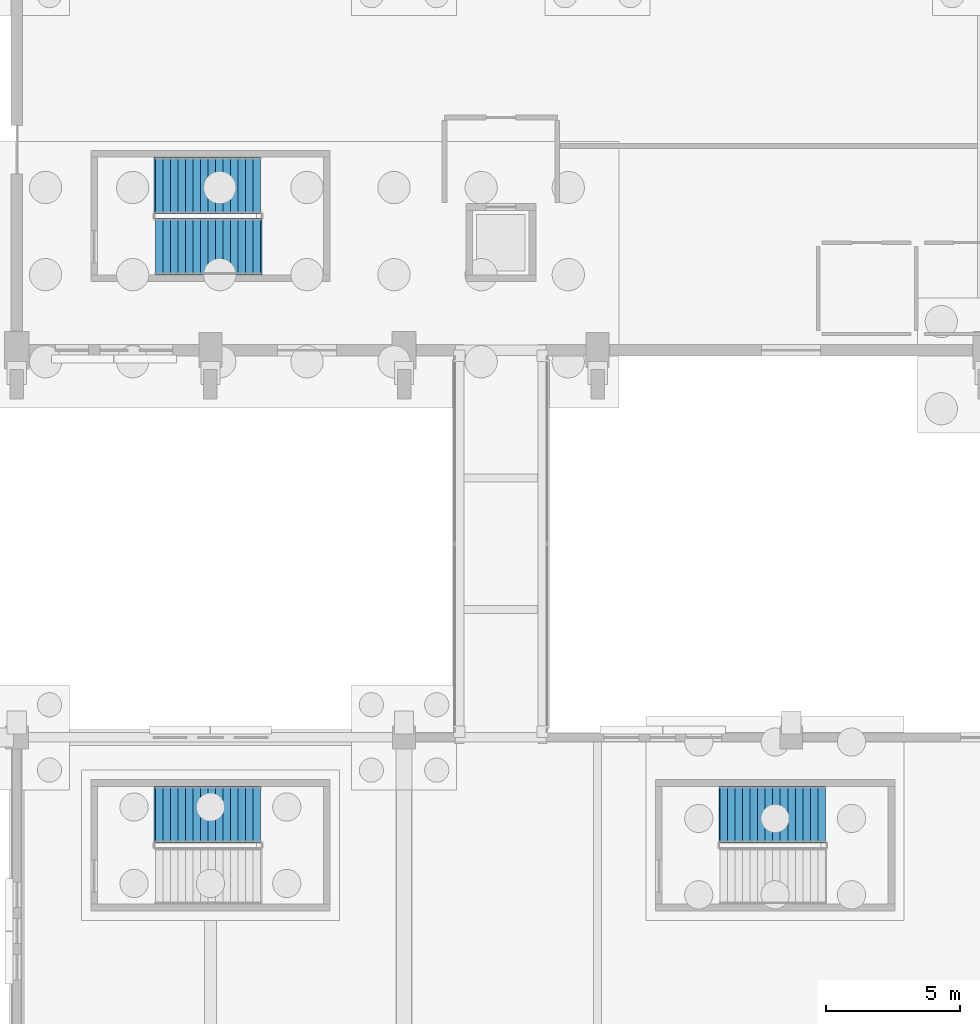
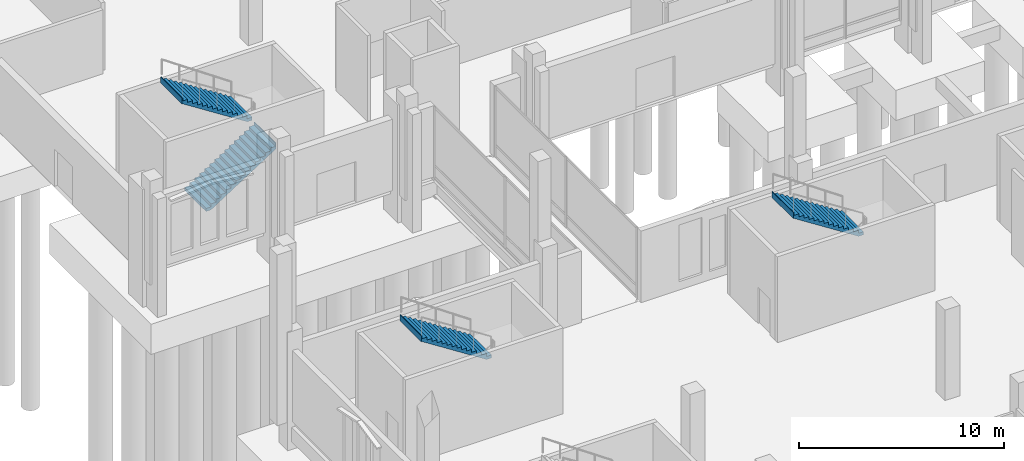
# One storey, part 159 of 192: 4 stair flights, 3 elements without a shape of their own.
"""IFC4 building model written with IfcOpenShell, lengths in metres."""

from ifc_helpers import new_model, si_unit, direction, frame, origin, place, context, subcontext, project, spatial, triangles, material, type_object, element, aggregate, save


model = new_model("IFC4")

# Units and contexts
model_context = context("Model", 3, precision=1e-05, world=origin(), true_north=direction((0.0, 1.0)))
body_context = subcontext(model_context, "Body", "Model", "MODEL_VIEW")
ifc_project = project(units=[si_unit("LENGTHUNIT", "METRE"), si_unit("AREAUNIT", "SQUARE_METRE"), si_unit("VOLUMEUNIT", "CUBIC_METRE"), si_unit("PLANEANGLEUNIT", "RADIAN"), si_unit("MASSUNIT", "GRAM", prefix="KILO")], contexts=[model_context])

# Site, building, storey
site_placement = place(None, origin())
site = spatial("IfcSite", under=ifc_project, at=site_placement, CompositionType="ELEMENT")
building_placement = place(site_placement, origin())
building = spatial("IfcBuilding", under=site, at=building_placement, Name="Cendralis Lancet Convention Centre", CompositionType="ELEMENT")
storey_placement = place(building_placement, origin())
storey = spatial("IfcBuildingStorey", under=building, at=storey_placement, Name="L00", CompositionType="ELEMENT", Elevation=0.0)

# Stair, stair flights
ifc_material = material(Name="Concrete G35 (C35/45)", Category="concrete")
stair_type = type_object("IfcStairType", Name="ARC-ST-CORE", PredefinedType="HALF_TURN_STAIR", material=ifc_material)
stair_1_placement = place(storey_placement, origin())
stair_1 = element("IfcStair", 1, at=stair_1_placement, inside=storey, type_object=stair_type, Name="L00 Protected Exit Stair ST-01", PredefinedType="HALF_TURN_STAIR")
stair_flight_type = type_object("IfcStairFlightType", Name="ARC-SF-CORE", PredefinedType="STRAIGHT", material=ifc_material)
stair_flight_1_placement = place(storey_placement, frame((5.14990234375, 54.25, 0.0), z_axis=(0.0, 0.0, 1.0), x_axis=(1.0, 0.0, 0.0)))
stair_flight_1 = element("IfcStairFlight", 2, at=stair_flight_1_placement, type_object=stair_flight_type, Name="ST-01 flight 1", NumberOfRisers=15, NumberOfTreads=14, PredefinedType="STRAIGHT", RiserHeight=0.18, TreadLength=0.28, context=body_context, shape_type="Tessellation", body=[
    triangles([(0.0, 0.0, 0.09), (0.0, 1.050049, 0.0), (0.0, -1.050049, 0.0), (0.0, -1.050049, 0.18), (0.0, 1.050049, 0.18), (0.138604, 0.0, 0.18), (0.277208, -1.050049, 0.18), (0.277208, 1.050049, 0.18), (0.138604, 0.0, 0.0), (0.277208, -1.050049, 0.0), (0.277208, 1.050049, 0.0), (0.278604, 0.0, 0.18), (0.28, -1.050049, 0.18), (0.28, 1.050049, 0.18), (0.278604, 0.0, 0.000897), (0.28, -1.050049, 0.001795), (0.28, 1.050049, 0.001795), (0.28, 0.0, 0.27), (0.28, -1.050049, 0.36), (0.28, 1.050049, 0.36), (0.42, 0.0, 0.36), (0.56, -1.050049, 0.36), (0.56, 1.050049, 0.36), (0.42, 0.0, 0.091795), (0.56, -1.050049, 0.181795), (0.56, 1.050049, 0.181795), (0.56, 0.0, 0.45), (0.56, -1.050049, 0.54), (0.56, 1.050049, 0.54), (0.7, 0.0, 0.54), (0.84, -1.050049, 0.54), (0.84, 1.050049, 0.54), (0.7, 0.0, 0.271795), (0.84, -1.050049, 0.361795), (0.84, 1.050049, 0.361795), (0.84, 0.0, 0.63), (0.84, -1.050049, 0.72), (0.84, 1.050049, 0.72), (0.98, 0.0, 0.72), (1.12, -1.050049, 0.72), (1.12, 1.050049, 0.72), (0.98, 0.0, 0.451795), (1.12, -1.050049, 0.541795), (1.12, 1.050049, 0.541795), (1.12, 0.0, 0.81), (1.12, -1.050049, 0.9), (1.12, 1.050049, 0.9), (1.26, 0.0, 0.9), (1.4, -1.050049, 0.9), (1.4, 1.050049, 0.9), (1.26, 0.0, 0.631795), (1.4, -1.050049, 0.721795), (1.4, 1.050049, 0.721795), (1.4, 0.0, 0.99), (1.4, -1.050049, 1.08), (1.4, 1.050049, 1.08), (1.54, 0.0, 1.08), (1.68, -1.050049, 1.08), (1.68, 1.050049, 1.08), (1.54, 0.0, 0.811795), (1.68, -1.050049, 0.901795), (1.68, 1.050049, 0.901795), (1.68, 0.0, 1.17), (1.68, -1.050049, 1.26), (1.68, 1.050049, 1.26), (1.82, 0.0, 1.26), (1.96, -1.050049, 1.26), (1.96, 1.050049, 1.26), (1.82, 0.0, 0.991795), (1.96, -1.050049, 1.081795), (1.96, 1.050049, 1.081795), (1.96, 0.0, 1.35), (1.96, -1.050049, 1.44), (1.96, 1.050049, 1.44), (2.1, 0.0, 1.44), (2.24, -1.050049, 1.44), (2.24, 1.050049, 1.44), (2.1, 0.0, 1.171795), (2.24, -1.050049, 1.261795), (2.24, 1.050049, 1.261795), (2.24, 0.0, 1.53), (2.24, -1.050049, 1.62), (2.24, 1.050049, 1.62), (2.38, 0.0, 1.62), (2.52, -1.050049, 1.62), (2.52, 1.050049, 1.62), (2.38, 0.0, 1.351795), (2.52, -1.050049, 1.441795), (2.52, 1.050049, 1.441795), (2.52, 0.0, 1.71), (2.52, -1.050049, 1.8), (2.52, 1.050049, 1.8), (2.66, 0.0, 1.8), (2.8, -1.050049, 1.8), (2.8, 1.050049, 1.8), (2.66, 0.0, 1.531795), (2.8, -1.050049, 1.621795), (2.8, 1.050049, 1.621795), (2.8, 0.0, 1.89), (2.8, -1.050049, 1.98), (2.8, 1.050049, 1.98), (2.94, 0.0, 1.98), (3.08, -1.050049, 1.98), (3.08, 1.050049, 1.98), (2.94, 0.0, 1.711795), (3.08, -1.050049, 1.801795), (3.08, 1.050049, 1.801795), (3.08, 0.0, 2.07), (3.08, -1.050049, 2.16), (3.08, 1.050049, 2.16), (3.22, 0.0, 2.16), (3.36, -1.050049, 2.16), (3.36, 1.050049, 2.16), (3.22, 0.0, 1.891795), (3.36, -1.050049, 1.981795), (3.36, 1.050049, 1.981795), (3.36, 0.0, 2.25), (3.36, -1.050049, 2.34), (3.36, 1.050049, 2.34), (3.5, 0.0, 2.34), (3.64, -1.050049, 2.34), (3.64, 1.050049, 2.34), (3.5, 0.0, 2.071795), (3.64, -1.050049, 2.161795), (3.64, 1.050049, 2.161795), (3.64, 0.0, 2.43), (3.64, -1.050049, 2.52), (3.64, 1.050049, 2.52), (3.78, 0.0, 2.52), (3.92, -1.050049, 2.52), (3.92, 1.050049, 2.52), (3.78, 0.0, 2.251795), (3.92, -1.050049, 2.341795), (3.92, 1.050049, 2.341795), (3.92, 0.0, 2.61), (3.92, -1.050049, 2.7), (3.92, 1.050049, 2.7), (3.94, 0.0, 2.7), (3.96, -1.050049, 2.7), (3.96, 1.050049, 2.7), (3.94, 0.0, 2.341795), (3.96, -1.050049, 2.341795), (3.96, 1.050049, 2.341795), (3.96, 0.0, 2.520898)], [[2, 3, 1], [3, 4, 1], [4, 5, 1], [5, 2, 1], [4, 7, 6], [7, 8, 6], [8, 5, 6], [5, 4, 6], [10, 3, 9], [3, 2, 9], [2, 11, 9], [11, 10, 9], [3, 10, 7], [3, 7, 4], [2, 8, 11], [2, 5, 8], [7, 13, 12], [13, 14, 12], [14, 8, 12], [8, 7, 12], [16, 10, 15], [10, 11, 15], [11, 17, 15], [17, 16, 15], [10, 16, 13], [10, 13, 7], [11, 14, 17], [11, 8, 14], [14, 13, 18], [13, 19, 18], [19, 20, 18], [20, 14, 18], [19, 22, 21], [22, 23, 21], [23, 20, 21], [20, 19, 21], [25, 16, 24], [16, 17, 24], [17, 26, 24], [26, 25, 24], [16, 25, 22], [16, 22, 13], [13, 22, 19], [17, 23, 26], [17, 14, 23], [14, 20, 23], [23, 22, 27], [22, 28, 27], [28, 29, 27], [29, 23, 27], [28, 31, 30], [31, 32, 30], [32, 29, 30], [29, 28, 30], [34, 25, 33], [25, 26, 33], [26, 35, 33], [35, 34, 33], [25, 34, 31], [25, 31, 22], [22, 31, 28], [26, 32, 35], [26, 23, 32], [23, 29, 32], [32, 31, 36], [31, 37, 36], [37, 38, 36], [38, 32, 36], [37, 40, 39], [40, 41, 39], [41, 38, 39], [38, 37, 39], [43, 34, 42], [34, 35, 42], [35, 44, 42], [44, 43, 42], [34, 43, 40], [34, 40, 31], [31, 40, 37], [35, 41, 44], [35, 32, 41], [32, 38, 41], [41, 40, 45], [40, 46, 45], [46, 47, 45], [47, 41, 45], [46, 49, 48], [49, 50, 48], [50, 47, 48], [47, 46, 48], [52, 43, 51], [43, 44, 51], [44, 53, 51], [53, 52, 51], [43, 52, 49], [43, 49, 40], [40, 49, 46], [44, 50, 53], [44, 41, 50], [41, 47, 50], [50, 49, 54], [49, 55, 54], [55, 56, 54], [56, 50, 54], [55, 58, 57], [58, 59, 57], [59, 56, 57], [56, 55, 57], [61, 52, 60], [52, 53, 60], [53, 62, 60], [62, 61, 60], [52, 61, 58], [52, 58, 49], [49, 58, 55], [53, 59, 62], [53, 50, 59], [50, 56, 59], [59, 58, 63], [58, 64, 63], [64, 65, 63], [65, 59, 63], [64, 67, 66], [67, 68, 66], [68, 65, 66], [65, 64, 66], [70, 61, 69], [61, 62, 69], [62, 71, 69], [71, 70, 69], [61, 70, 67], [61, 67, 58], [58, 67, 64], [62, 68, 71], [62, 59, 68], [59, 65, 68], [68, 67, 72], [67, 73, 72], [73, 74, 72], [74, 68, 72], [73, 76, 75], [76, 77, 75], [77, 74, 75], [74, 73, 75], [79, 70, 78], [70, 71, 78], [71, 80, 78], [80, 79, 78], [70, 79, 76], [70, 76, 67], [67, 76, 73], [71, 77, 80], [71, 68, 77], [68, 74, 77], [77, 76, 81], [76, 82, 81], [82, 83, 81], [83, 77, 81], [82, 85, 84], [85, 86, 84], [86, 83, 84], [83, 82, 84], [88, 79, 87], [79, 80, 87], [80, 89, 87], [89, 88, 87], [79, 88, 85], [79, 85, 76], [76, 85, 82], [80, 86, 89], [80, 77, 86], [77, 83, 86], [86, 85, 90], [85, 91, 90], [91, 92, 90], [92, 86, 90], [91, 94, 93], [94, 95, 93], [95, 92, 93], [92, 91, 93], [97, 88, 96], [88, 89, 96], [89, 98, 96], [98, 97, 96], [88, 97, 94], [88, 94, 85], [85, 94, 91], [89, 95, 98], [89, 86, 95], [86, 92, 95], [95, 94, 99], [94, 100, 99], [100, 101, 99], [101, 95, 99], [100, 103, 102], [103, 104, 102], [104, 101, 102], [101, 100, 102], [106, 97, 105], [97, 98, 105], [98, 107, 105], [107, 106, 105], [97, 106, 103], [97, 103, 94], [94, 103, 100], [98, 104, 107], [98, 95, 104], [95, 101, 104], [104, 103, 108], [103, 109, 108], [109, 110, 108], [110, 104, 108], [109, 112, 111], [112, 113, 111], [113, 110, 111], [110, 109, 111], [115, 106, 114], [106, 107, 114], [107, 116, 114], [116, 115, 114], [106, 115, 112], [106, 112, 103], [103, 112, 109], [107, 113, 116], [107, 104, 113], [104, 110, 113], [113, 112, 117], [112, 118, 117], [118, 119, 117], [119, 113, 117], [118, 121, 120], [121, 122, 120], [122, 119, 120], [119, 118, 120], [124, 115, 123], [115, 116, 123], [116, 125, 123], [125, 124, 123], [115, 124, 121], [115, 121, 112], [112, 121, 118], [116, 122, 125], [116, 113, 122], [113, 119, 122], [122, 121, 126], [121, 127, 126], [127, 128, 126], [128, 122, 126], [127, 130, 129], [130, 131, 129], [131, 128, 129], [128, 127, 129], [133, 124, 132], [124, 125, 132], [125, 134, 132], [134, 133, 132], [124, 133, 130], [124, 130, 121], [121, 130, 127], [125, 131, 134], [125, 122, 131], [122, 128, 131], [131, 130, 135], [130, 136, 135], [136, 137, 135], [137, 131, 135], [136, 139, 138], [139, 140, 138], [140, 137, 138], [137, 136, 138], [142, 133, 141], [133, 134, 141], [134, 143, 141], [143, 142, 141], [133, 142, 139], [133, 139, 130], [130, 139, 136], [134, 140, 143], [134, 131, 140], [131, 137, 140], [142, 143, 144], [143, 140, 144], [140, 139, 144], [139, 142, 144]], closed=True),
])
stair_flight_2_placement = place(storey_placement, frame((9.070068359375, 56.530029296875, 2.699951171875), z_axis=(0.0, 0.0, 1.0), x_axis=(-1.0, 0.0, 0.0)))
stair_flight_2 = element("IfcStairFlight", 3, at=stair_flight_2_placement, type_object=stair_flight_type, Name="ST-01 flight 2", NumberOfRisers=15, NumberOfTreads=14, PredefinedType="STRAIGHT", RiserHeight=0.18, TreadLength=0.28, context=body_context, shape_type="Tessellation", body=[
    triangles([(0.0, 0.0, 0.09), (0.0, 1.050049, 0.0), (0.0, -1.050049, 0.0), (0.0, -1.050049, 0.18), (0.0, 1.050049, 0.18), (0.138604, 0.0, 0.18), (0.277208, -1.050049, 0.18), (0.277208, 1.050049, 0.18), (0.138604, 0.0, 0.0), (0.277208, -1.050049, 0.0), (0.277208, 1.050049, 0.0), (0.278604, 0.0, 0.18), (0.28, -1.050049, 0.18), (0.28, 1.050049, 0.18), (0.278604, 0.0, 0.000897), (0.28, -1.050049, 0.001795), (0.28, 1.050049, 0.001795), (0.28, 0.0, 0.27), (0.28, -1.050049, 0.36), (0.28, 1.050049, 0.36), (0.42, 0.0, 0.36), (0.56, -1.050049, 0.36), (0.56, 1.050049, 0.36), (0.42, 0.0, 0.091795), (0.56, -1.050049, 0.181795), (0.56, 1.050049, 0.181795), (0.56, 0.0, 0.45), (0.56, -1.050049, 0.54), (0.56, 1.050049, 0.54), (0.7, 0.0, 0.54), (0.84, -1.050049, 0.54), (0.84, 1.050049, 0.54), (0.7, 0.0, 0.271795), (0.84, -1.050049, 0.361795), (0.84, 1.050049, 0.361795), (0.84, 0.0, 0.63), (0.84, -1.050049, 0.72), (0.84, 1.050049, 0.72), (0.98, 0.0, 0.72), (1.12, -1.050049, 0.72), (1.12, 1.050049, 0.72), (0.98, 0.0, 0.451795), (1.12, -1.050049, 0.541795), (1.12, 1.050049, 0.541795), (1.12, 0.0, 0.81), (1.12, -1.050049, 0.9), (1.12, 1.050049, 0.9), (1.26, 0.0, 0.9), (1.4, -1.050049, 0.9), (1.4, 1.050049, 0.9), (1.26, 0.0, 0.631795), (1.4, -1.050049, 0.721795), (1.4, 1.050049, 0.721795), (1.4, 0.0, 0.99), (1.4, -1.050049, 1.08), (1.4, 1.050049, 1.08), (1.54, 0.0, 1.08), (1.68, -1.050049, 1.08), (1.68, 1.050049, 1.08), (1.54, 0.0, 0.811795), (1.68, -1.050049, 0.901795), (1.68, 1.050049, 0.901795), (1.68, 0.0, 1.17), (1.68, -1.050049, 1.26), (1.68, 1.050049, 1.26), (1.82, 0.0, 1.26), (1.96, -1.050049, 1.26), (1.96, 1.050049, 1.26), (1.82, 0.0, 0.991795), (1.96, -1.050049, 1.081795), (1.96, 1.050049, 1.081795), (1.96, 0.0, 1.35), (1.96, -1.050049, 1.44), (1.96, 1.050049, 1.44), (2.1, 0.0, 1.44), (2.24, -1.050049, 1.44), (2.24, 1.050049, 1.44), (2.1, 0.0, 1.171795), (2.24, -1.050049, 1.261795), (2.24, 1.050049, 1.261795), (2.24, 0.0, 1.53), (2.24, -1.050049, 1.62), (2.24, 1.050049, 1.62), (2.38, 0.0, 1.62), (2.52, -1.050049, 1.62), (2.52, 1.050049, 1.62), (2.38, 0.0, 1.351795), (2.52, -1.050049, 1.441795), (2.52, 1.050049, 1.441795), (2.52, 0.0, 1.71), (2.52, -1.050049, 1.8), (2.52, 1.050049, 1.8), (2.66, 0.0, 1.8), (2.8, -1.050049, 1.8), (2.8, 1.050049, 1.8), (2.66, 0.0, 1.531795), (2.8, -1.050049, 1.621795), (2.8, 1.050049, 1.621795), (2.8, 0.0, 1.89), (2.8, -1.050049, 1.98), (2.8, 1.050049, 1.98), (2.94, 0.0, 1.98), (3.08, -1.050049, 1.98), (3.08, 1.050049, 1.98), (2.94, 0.0, 1.711795), (3.08, -1.050049, 1.801795), (3.08, 1.050049, 1.801795), (3.08, 0.0, 2.07), (3.08, -1.050049, 2.16), (3.08, 1.050049, 2.16), (3.22, 0.0, 2.16), (3.36, -1.050049, 2.16), (3.36, 1.050049, 2.16), (3.22, 0.0, 1.891795), (3.36, -1.050049, 1.981795), (3.36, 1.050049, 1.981795), (3.36, 0.0, 2.25), (3.36, -1.050049, 2.34), (3.36, 1.050049, 2.34), (3.5, 0.0, 2.34), (3.64, -1.050049, 2.34), (3.64, 1.050049, 2.34), (3.5, 0.0, 2.071795), (3.64, -1.050049, 2.161795), (3.64, 1.050049, 2.161795), (3.64, 0.0, 2.43), (3.64, -1.050049, 2.52), (3.64, 1.050049, 2.52), (3.78, 0.0, 2.52), (3.92, -1.050049, 2.52), (3.92, 1.050049, 2.52), (3.78, 0.0, 2.251795), (3.92, -1.050049, 2.341795), (3.92, 1.050049, 2.341795), (3.92, 0.0, 2.61), (3.92, -1.050049, 2.7), (3.92, 1.050049, 2.7), (3.94, 0.0, 2.7), (3.96, -1.050049, 2.7), (3.96, 1.050049, 2.7), (3.94, 0.0, 2.341795), (3.96, -1.050049, 2.341795), (3.96, 1.050049, 2.341795), (3.96, 0.0, 2.520898)], [[2, 3, 1], [3, 4, 1], [4, 5, 1], [5, 2, 1], [4, 7, 6], [7, 8, 6], [8, 5, 6], [5, 4, 6], [10, 3, 9], [3, 2, 9], [2, 11, 9], [11, 10, 9], [3, 10, 7], [3, 7, 4], [2, 8, 11], [2, 5, 8], [7, 13, 12], [13, 14, 12], [14, 8, 12], [8, 7, 12], [16, 10, 15], [10, 11, 15], [11, 17, 15], [17, 16, 15], [10, 16, 13], [10, 13, 7], [11, 14, 17], [11, 8, 14], [14, 13, 18], [13, 19, 18], [19, 20, 18], [20, 14, 18], [19, 22, 21], [22, 23, 21], [23, 20, 21], [20, 19, 21], [25, 16, 24], [16, 17, 24], [17, 26, 24], [26, 25, 24], [16, 25, 22], [16, 22, 13], [13, 22, 19], [17, 23, 26], [17, 14, 23], [14, 20, 23], [23, 22, 27], [22, 28, 27], [28, 29, 27], [29, 23, 27], [28, 31, 30], [31, 32, 30], [32, 29, 30], [29, 28, 30], [34, 25, 33], [25, 26, 33], [26, 35, 33], [35, 34, 33], [25, 34, 31], [25, 31, 22], [22, 31, 28], [26, 32, 35], [26, 23, 32], [23, 29, 32], [32, 31, 36], [31, 37, 36], [37, 38, 36], [38, 32, 36], [37, 40, 39], [40, 41, 39], [41, 38, 39], [38, 37, 39], [43, 34, 42], [34, 35, 42], [35, 44, 42], [44, 43, 42], [34, 43, 40], [34, 40, 31], [31, 40, 37], [35, 41, 44], [35, 32, 41], [32, 38, 41], [41, 40, 45], [40, 46, 45], [46, 47, 45], [47, 41, 45], [46, 49, 48], [49, 50, 48], [50, 47, 48], [47, 46, 48], [52, 43, 51], [43, 44, 51], [44, 53, 51], [53, 52, 51], [43, 52, 49], [43, 49, 40], [40, 49, 46], [44, 50, 53], [44, 41, 50], [41, 47, 50], [50, 49, 54], [49, 55, 54], [55, 56, 54], [56, 50, 54], [55, 58, 57], [58, 59, 57], [59, 56, 57], [56, 55, 57], [61, 52, 60], [52, 53, 60], [53, 62, 60], [62, 61, 60], [52, 61, 58], [52, 58, 49], [49, 58, 55], [53, 59, 62], [53, 50, 59], [50, 56, 59], [59, 58, 63], [58, 64, 63], [64, 65, 63], [65, 59, 63], [64, 67, 66], [67, 68, 66], [68, 65, 66], [65, 64, 66], [70, 61, 69], [61, 62, 69], [62, 71, 69], [71, 70, 69], [61, 70, 67], [61, 67, 58], [58, 67, 64], [62, 68, 71], [62, 59, 68], [59, 65, 68], [68, 67, 72], [67, 73, 72], [73, 74, 72], [74, 68, 72], [73, 76, 75], [76, 77, 75], [77, 74, 75], [74, 73, 75], [79, 70, 78], [70, 71, 78], [71, 80, 78], [80, 79, 78], [70, 79, 76], [70, 76, 67], [67, 76, 73], [71, 77, 80], [71, 68, 77], [68, 74, 77], [77, 76, 81], [76, 82, 81], [82, 83, 81], [83, 77, 81], [82, 85, 84], [85, 86, 84], [86, 83, 84], [83, 82, 84], [88, 79, 87], [79, 80, 87], [80, 89, 87], [89, 88, 87], [79, 88, 85], [79, 85, 76], [76, 85, 82], [80, 86, 89], [80, 77, 86], [77, 83, 86], [86, 85, 90], [85, 91, 90], [91, 92, 90], [92, 86, 90], [91, 94, 93], [94, 95, 93], [95, 92, 93], [92, 91, 93], [97, 88, 96], [88, 89, 96], [89, 98, 96], [98, 97, 96], [88, 97, 94], [88, 94, 85], [85, 94, 91], [89, 95, 98], [89, 86, 95], [86, 92, 95], [95, 94, 99], [94, 100, 99], [100, 101, 99], [101, 95, 99], [100, 103, 102], [103, 104, 102], [104, 101, 102], [101, 100, 102], [106, 97, 105], [97, 98, 105], [98, 107, 105], [107, 106, 105], [97, 106, 103], [97, 103, 94], [94, 103, 100], [98, 104, 107], [98, 95, 104], [95, 101, 104], [104, 103, 108], [103, 109, 108], [109, 110, 108], [110, 104, 108], [109, 112, 111], [112, 113, 111], [113, 110, 111], [110, 109, 111], [115, 106, 114], [106, 107, 114], [107, 116, 114], [116, 115, 114], [106, 115, 112], [106, 112, 103], [103, 112, 109], [107, 113, 116], [107, 104, 113], [104, 110, 113], [113, 112, 117], [112, 118, 117], [118, 119, 117], [119, 113, 117], [118, 121, 120], [121, 122, 120], [122, 119, 120], [119, 118, 120], [124, 115, 123], [115, 116, 123], [116, 125, 123], [125, 124, 123], [115, 124, 121], [115, 121, 112], [112, 121, 118], [116, 122, 125], [116, 113, 122], [113, 119, 122], [122, 121, 126], [121, 127, 126], [127, 128, 126], [128, 122, 126], [127, 130, 129], [130, 131, 129], [131, 128, 129], [128, 127, 129], [133, 124, 132], [124, 125, 132], [125, 134, 132], [134, 133, 132], [124, 133, 130], [124, 130, 121], [121, 130, 127], [125, 131, 134], [125, 122, 131], [122, 128, 131], [131, 130, 135], [130, 136, 135], [136, 137, 135], [137, 131, 135], [136, 139, 138], [139, 140, 138], [140, 137, 138], [137, 136, 138], [142, 133, 141], [133, 134, 141], [134, 143, 141], [143, 142, 141], [133, 142, 139], [133, 139, 130], [130, 139, 136], [134, 140, 143], [134, 131, 140], [131, 137, 140], [142, 143, 144], [143, 140, 144], [140, 139, 144], [139, 142, 144]], closed=True),
])
aggregate(stair_1, [stair_flight_1, stair_flight_2])

# Stair, stair flight
stair_2_placement = place(storey_placement, origin())
stair_2 = element("IfcStair", 4, at=stair_2_placement, inside=storey, type_object=stair_type, Name="L00 Protected Exit Stair ST-11", PredefinedType="HALF_TURN_STAIR")
stair_flight_3_placement = place(storey_placement, frame((30.070068359375, 33.1298828125, 2.699951171875), z_axis=(0.0, 0.0, 1.0), x_axis=(-1.0, 0.0, 0.0)))
stair_flight_3 = element("IfcStairFlight", 5, at=stair_flight_3_placement, type_object=stair_flight_type, Name="ST-11 flight 2", NumberOfRisers=15, NumberOfTreads=14, PredefinedType="STRAIGHT", RiserHeight=0.18, TreadLength=0.28, context=body_context, shape_type="Tessellation", body=[
    triangles([(0.0, 0.0, 0.09), (0.0, 1.050049, 0.0), (0.0, -1.050049, 0.0), (0.0, -1.050049, 0.18), (0.0, 1.050049, 0.18), (0.138604, 0.0, 0.18), (0.277208, -1.050049, 0.18), (0.277208, 1.050049, 0.18), (0.138604, 0.0, 0.0), (0.277208, -1.050049, 0.0), (0.277208, 1.050049, 0.0), (0.278604, 0.0, 0.18), (0.28, -1.050049, 0.18), (0.28, 1.050049, 0.18), (0.278604, 0.0, 0.000897), (0.28, -1.050049, 0.001795), (0.28, 1.050049, 0.001795), (0.28, 0.0, 0.27), (0.28, -1.050049, 0.36), (0.28, 1.050049, 0.36), (0.42, 0.0, 0.36), (0.56, -1.050049, 0.36), (0.56, 1.050049, 0.36), (0.42, 0.0, 0.091795), (0.56, -1.050049, 0.181795), (0.56, 1.050049, 0.181795), (0.56, 0.0, 0.45), (0.56, -1.050049, 0.54), (0.56, 1.050049, 0.54), (0.7, 0.0, 0.54), (0.84, -1.050049, 0.54), (0.84, 1.050049, 0.54), (0.7, 0.0, 0.271795), (0.84, -1.050049, 0.361795), (0.84, 1.050049, 0.361795), (0.84, 0.0, 0.63), (0.84, -1.050049, 0.72), (0.84, 1.050049, 0.72), (0.98, 0.0, 0.72), (1.12, -1.050049, 0.72), (1.12, 1.050049, 0.72), (0.98, 0.0, 0.451795), (1.12, -1.050049, 0.541795), (1.12, 1.050049, 0.541795), (1.12, 0.0, 0.81), (1.12, -1.050049, 0.9), (1.12, 1.050049, 0.9), (1.26, 0.0, 0.9), (1.4, -1.050049, 0.9), (1.4, 1.050049, 0.9), (1.26, 0.0, 0.631795), (1.4, -1.050049, 0.721795), (1.4, 1.050049, 0.721795), (1.4, 0.0, 0.99), (1.4, -1.050049, 1.08), (1.4, 1.050049, 1.08), (1.54, 0.0, 1.08), (1.68, -1.050049, 1.08), (1.68, 1.050049, 1.08), (1.54, 0.0, 0.811795), (1.68, -1.050049, 0.901795), (1.68, 1.050049, 0.901795), (1.68, 0.0, 1.17), (1.68, -1.050049, 1.26), (1.68, 1.050049, 1.26), (1.82, 0.0, 1.26), (1.96, -1.050049, 1.26), (1.96, 1.050049, 1.26), (1.82, 0.0, 0.991795), (1.96, -1.050049, 1.081795), (1.96, 1.050049, 1.081795), (1.96, 0.0, 1.35), (1.96, -1.050049, 1.44), (1.96, 1.050049, 1.44), (2.1, 0.0, 1.44), (2.24, -1.050049, 1.44), (2.24, 1.050049, 1.44), (2.1, 0.0, 1.171795), (2.24, -1.050049, 1.261795), (2.24, 1.050049, 1.261795), (2.24, 0.0, 1.53), (2.24, -1.050049, 1.62), (2.24, 1.050049, 1.62), (2.38, 0.0, 1.62), (2.52, -1.050049, 1.62), (2.52, 1.050049, 1.62), (2.38, 0.0, 1.351795), (2.52, -1.050049, 1.441795), (2.52, 1.050049, 1.441795), (2.52, 0.0, 1.71), (2.52, -1.050049, 1.8), (2.52, 1.050049, 1.8), (2.66, 0.0, 1.8), (2.8, -1.050049, 1.8), (2.8, 1.050049, 1.8), (2.66, 0.0, 1.531795), (2.8, -1.050049, 1.621795), (2.8, 1.050049, 1.621795), (2.8, 0.0, 1.89), (2.8, -1.050049, 1.98), (2.8, 1.050049, 1.98), (2.94, 0.0, 1.98), (3.08, -1.050049, 1.98), (3.08, 1.050049, 1.98), (2.94, 0.0, 1.711795), (3.08, -1.050049, 1.801795), (3.08, 1.050049, 1.801795), (3.08, 0.0, 2.07), (3.08, -1.050049, 2.16), (3.08, 1.050049, 2.16), (3.22, 0.0, 2.16), (3.36, -1.050049, 2.16), (3.36, 1.050049, 2.16), (3.22, 0.0, 1.891795), (3.36, -1.050049, 1.981795), (3.36, 1.050049, 1.981795), (3.36, 0.0, 2.25), (3.36, -1.050049, 2.34), (3.36, 1.050049, 2.34), (3.5, 0.0, 2.34), (3.64, -1.050049, 2.34), (3.64, 1.050049, 2.34), (3.5, 0.0, 2.071795), (3.64, -1.050049, 2.161795), (3.64, 1.050049, 2.161795), (3.64, 0.0, 2.43), (3.64, -1.050049, 2.52), (3.64, 1.050049, 2.52), (3.78, 0.0, 2.52), (3.92, -1.050049, 2.52), (3.92, 1.050049, 2.52), (3.78, 0.0, 2.251795), (3.92, -1.050049, 2.341795), (3.92, 1.050049, 2.341795), (3.92, 0.0, 2.61), (3.92, -1.050049, 2.7), (3.92, 1.050049, 2.7), (3.94, 0.0, 2.7), (3.96, -1.050049, 2.7), (3.96, 1.050049, 2.7), (3.94, 0.0, 2.341795), (3.96, -1.050049, 2.341795), (3.96, 1.050049, 2.341795), (3.96, 0.0, 2.520898)], [[2, 3, 1], [3, 4, 1], [4, 5, 1], [5, 2, 1], [4, 7, 6], [7, 8, 6], [8, 5, 6], [5, 4, 6], [10, 3, 9], [3, 2, 9], [2, 11, 9], [11, 10, 9], [3, 10, 7], [3, 7, 4], [2, 8, 11], [2, 5, 8], [7, 13, 12], [13, 14, 12], [14, 8, 12], [8, 7, 12], [16, 10, 15], [10, 11, 15], [11, 17, 15], [17, 16, 15], [10, 16, 13], [10, 13, 7], [11, 14, 17], [11, 8, 14], [14, 13, 18], [13, 19, 18], [19, 20, 18], [20, 14, 18], [19, 22, 21], [22, 23, 21], [23, 20, 21], [20, 19, 21], [25, 16, 24], [16, 17, 24], [17, 26, 24], [26, 25, 24], [16, 25, 22], [16, 22, 13], [13, 22, 19], [17, 23, 26], [17, 14, 23], [14, 20, 23], [23, 22, 27], [22, 28, 27], [28, 29, 27], [29, 23, 27], [28, 31, 30], [31, 32, 30], [32, 29, 30], [29, 28, 30], [34, 25, 33], [25, 26, 33], [26, 35, 33], [35, 34, 33], [25, 34, 31], [25, 31, 22], [22, 31, 28], [26, 32, 35], [26, 23, 32], [23, 29, 32], [32, 31, 36], [31, 37, 36], [37, 38, 36], [38, 32, 36], [37, 40, 39], [40, 41, 39], [41, 38, 39], [38, 37, 39], [43, 34, 42], [34, 35, 42], [35, 44, 42], [44, 43, 42], [34, 43, 40], [34, 40, 31], [31, 40, 37], [35, 41, 44], [35, 32, 41], [32, 38, 41], [41, 40, 45], [40, 46, 45], [46, 47, 45], [47, 41, 45], [46, 49, 48], [49, 50, 48], [50, 47, 48], [47, 46, 48], [52, 43, 51], [43, 44, 51], [44, 53, 51], [53, 52, 51], [43, 52, 49], [43, 49, 40], [40, 49, 46], [44, 50, 53], [44, 41, 50], [41, 47, 50], [50, 49, 54], [49, 55, 54], [55, 56, 54], [56, 50, 54], [55, 58, 57], [58, 59, 57], [59, 56, 57], [56, 55, 57], [61, 52, 60], [52, 53, 60], [53, 62, 60], [62, 61, 60], [52, 61, 58], [52, 58, 49], [49, 58, 55], [53, 59, 62], [53, 50, 59], [50, 56, 59], [59, 58, 63], [58, 64, 63], [64, 65, 63], [65, 59, 63], [64, 67, 66], [67, 68, 66], [68, 65, 66], [65, 64, 66], [70, 61, 69], [61, 62, 69], [62, 71, 69], [71, 70, 69], [61, 70, 67], [61, 67, 58], [58, 67, 64], [62, 68, 71], [62, 59, 68], [59, 65, 68], [68, 67, 72], [67, 73, 72], [73, 74, 72], [74, 68, 72], [73, 76, 75], [76, 77, 75], [77, 74, 75], [74, 73, 75], [79, 70, 78], [70, 71, 78], [71, 80, 78], [80, 79, 78], [70, 79, 76], [70, 76, 67], [67, 76, 73], [71, 77, 80], [71, 68, 77], [68, 74, 77], [77, 76, 81], [76, 82, 81], [82, 83, 81], [83, 77, 81], [82, 85, 84], [85, 86, 84], [86, 83, 84], [83, 82, 84], [88, 79, 87], [79, 80, 87], [80, 89, 87], [89, 88, 87], [79, 88, 85], [79, 85, 76], [76, 85, 82], [80, 86, 89], [80, 77, 86], [77, 83, 86], [86, 85, 90], [85, 91, 90], [91, 92, 90], [92, 86, 90], [91, 94, 93], [94, 95, 93], [95, 92, 93], [92, 91, 93], [97, 88, 96], [88, 89, 96], [89, 98, 96], [98, 97, 96], [88, 97, 94], [88, 94, 85], [85, 94, 91], [89, 95, 98], [89, 86, 95], [86, 92, 95], [95, 94, 99], [94, 100, 99], [100, 101, 99], [101, 95, 99], [100, 103, 102], [103, 104, 102], [104, 101, 102], [101, 100, 102], [106, 97, 105], [97, 98, 105], [98, 107, 105], [107, 106, 105], [97, 106, 103], [97, 103, 94], [94, 103, 100], [98, 104, 107], [98, 95, 104], [95, 101, 104], [104, 103, 108], [103, 109, 108], [109, 110, 108], [110, 104, 108], [109, 112, 111], [112, 113, 111], [113, 110, 111], [110, 109, 111], [115, 106, 114], [106, 107, 114], [107, 116, 114], [116, 115, 114], [106, 115, 112], [106, 112, 103], [103, 112, 109], [107, 113, 116], [107, 104, 113], [104, 110, 113], [113, 112, 117], [112, 118, 117], [118, 119, 117], [119, 113, 117], [118, 121, 120], [121, 122, 120], [122, 119, 120], [119, 118, 120], [124, 115, 123], [115, 116, 123], [116, 125, 123], [125, 124, 123], [115, 124, 121], [115, 121, 112], [112, 121, 118], [116, 122, 125], [116, 113, 122], [113, 119, 122], [122, 121, 126], [121, 127, 126], [127, 128, 126], [128, 122, 126], [127, 130, 129], [130, 131, 129], [131, 128, 129], [128, 127, 129], [133, 124, 132], [124, 125, 132], [125, 134, 132], [134, 133, 132], [124, 133, 130], [124, 130, 121], [121, 130, 127], [125, 131, 134], [125, 122, 131], [122, 128, 131], [131, 130, 135], [130, 136, 135], [136, 137, 135], [137, 131, 135], [136, 139, 138], [139, 140, 138], [140, 137, 138], [137, 136, 138], [142, 133, 141], [133, 134, 141], [134, 143, 141], [143, 142, 141], [133, 142, 139], [133, 139, 130], [130, 139, 136], [134, 140, 143], [134, 131, 140], [131, 137, 140], [142, 143, 144], [143, 140, 144], [140, 139, 144], [139, 142, 144]], closed=True),
])
aggregate(stair_2, [stair_flight_3])

stair_3_placement = place(storey_placement, origin())
stair_3 = element("IfcStair", 6, at=stair_3_placement, inside=storey, type_object=stair_type, Name="L00 Protected Exit Stair ST-20", PredefinedType="HALF_TURN_STAIR")
stair_flight_4_placement = place(storey_placement, frame((9.070068359375, 33.1298828125, 2.699951171875), z_axis=(0.0, 0.0, 1.0), x_axis=(-1.0, 0.0, 0.0)))
stair_flight_4 = element("IfcStairFlight", 7, at=stair_flight_4_placement, type_object=stair_flight_type, Name="ST-20 flight 2", NumberOfRisers=15, NumberOfTreads=14, PredefinedType="STRAIGHT", RiserHeight=0.18, TreadLength=0.28, context=body_context, shape_type="Tessellation", body=[
    triangles([(0.0, 0.0, 0.09), (0.0, 1.050049, 0.0), (0.0, -1.050049, 0.0), (0.0, -1.050049, 0.18), (0.0, 1.050049, 0.18), (0.138604, 0.0, 0.18), (0.277208, -1.050049, 0.18), (0.277208, 1.050049, 0.18), (0.138604, 0.0, 0.0), (0.277208, -1.050049, 0.0), (0.277208, 1.050049, 0.0), (0.278604, 0.0, 0.18), (0.28, -1.050049, 0.18), (0.28, 1.050049, 0.18), (0.278604, 0.0, 0.000897), (0.28, -1.050049, 0.001795), (0.28, 1.050049, 0.001795), (0.28, 0.0, 0.27), (0.28, -1.050049, 0.36), (0.28, 1.050049, 0.36), (0.42, 0.0, 0.36), (0.56, -1.050049, 0.36), (0.56, 1.050049, 0.36), (0.42, 0.0, 0.091795), (0.56, -1.050049, 0.181795), (0.56, 1.050049, 0.181795), (0.56, 0.0, 0.45), (0.56, -1.050049, 0.54), (0.56, 1.050049, 0.54), (0.7, 0.0, 0.54), (0.84, -1.050049, 0.54), (0.84, 1.050049, 0.54), (0.7, 0.0, 0.271795), (0.84, -1.050049, 0.361795), (0.84, 1.050049, 0.361795), (0.84, 0.0, 0.63), (0.84, -1.050049, 0.72), (0.84, 1.050049, 0.72), (0.98, 0.0, 0.72), (1.12, -1.050049, 0.72), (1.12, 1.050049, 0.72), (0.98, 0.0, 0.451795), (1.12, -1.050049, 0.541795), (1.12, 1.050049, 0.541795), (1.12, 0.0, 0.81), (1.12, -1.050049, 0.9), (1.12, 1.050049, 0.9), (1.26, 0.0, 0.9), (1.4, -1.050049, 0.9), (1.4, 1.050049, 0.9), (1.26, 0.0, 0.631795), (1.4, -1.050049, 0.721795), (1.4, 1.050049, 0.721795), (1.4, 0.0, 0.99), (1.4, -1.050049, 1.08), (1.4, 1.050049, 1.08), (1.54, 0.0, 1.08), (1.68, -1.050049, 1.08), (1.68, 1.050049, 1.08), (1.54, 0.0, 0.811795), (1.68, -1.050049, 0.901795), (1.68, 1.050049, 0.901795), (1.68, 0.0, 1.17), (1.68, -1.050049, 1.26), (1.68, 1.050049, 1.26), (1.82, 0.0, 1.26), (1.96, -1.050049, 1.26), (1.96, 1.050049, 1.26), (1.82, 0.0, 0.991795), (1.96, -1.050049, 1.081795), (1.96, 1.050049, 1.081795), (1.96, 0.0, 1.35), (1.96, -1.050049, 1.44), (1.96, 1.050049, 1.44), (2.1, 0.0, 1.44), (2.24, -1.050049, 1.44), (2.24, 1.050049, 1.44), (2.1, 0.0, 1.171795), (2.24, -1.050049, 1.261795), (2.24, 1.050049, 1.261795), (2.24, 0.0, 1.53), (2.24, -1.050049, 1.62), (2.24, 1.050049, 1.62), (2.38, 0.0, 1.62), (2.52, -1.050049, 1.62), (2.52, 1.050049, 1.62), (2.38, 0.0, 1.351795), (2.52, -1.050049, 1.441795), (2.52, 1.050049, 1.441795), (2.52, 0.0, 1.71), (2.52, -1.050049, 1.8), (2.52, 1.050049, 1.8), (2.66, 0.0, 1.8), (2.8, -1.050049, 1.8), (2.8, 1.050049, 1.8), (2.66, 0.0, 1.531795), (2.8, -1.050049, 1.621795), (2.8, 1.050049, 1.621795), (2.8, 0.0, 1.89), (2.8, -1.050049, 1.98), (2.8, 1.050049, 1.98), (2.94, 0.0, 1.98), (3.08, -1.050049, 1.98), (3.08, 1.050049, 1.98), (2.94, 0.0, 1.711795), (3.08, -1.050049, 1.801795), (3.08, 1.050049, 1.801795), (3.08, 0.0, 2.07), (3.08, -1.050049, 2.16), (3.08, 1.050049, 2.16), (3.22, 0.0, 2.16), (3.36, -1.050049, 2.16), (3.36, 1.050049, 2.16), (3.22, 0.0, 1.891795), (3.36, -1.050049, 1.981795), (3.36, 1.050049, 1.981795), (3.36, 0.0, 2.25), (3.36, -1.050049, 2.34), (3.36, 1.050049, 2.34), (3.5, 0.0, 2.34), (3.64, -1.050049, 2.34), (3.64, 1.050049, 2.34), (3.5, 0.0, 2.071795), (3.64, -1.050049, 2.161795), (3.64, 1.050049, 2.161795), (3.64, 0.0, 2.43), (3.64, -1.050049, 2.52), (3.64, 1.050049, 2.52), (3.78, 0.0, 2.52), (3.92, -1.050049, 2.52), (3.92, 1.050049, 2.52), (3.78, 0.0, 2.251795), (3.92, -1.050049, 2.341795), (3.92, 1.050049, 2.341795), (3.92, 0.0, 2.61), (3.92, -1.050049, 2.7), (3.92, 1.050049, 2.7), (3.94, 0.0, 2.7), (3.96, -1.050049, 2.7), (3.96, 1.050049, 2.7), (3.94, 0.0, 2.341795), (3.96, -1.050049, 2.341795), (3.96, 1.050049, 2.341795), (3.96, 0.0, 2.520898)], [[2, 3, 1], [3, 4, 1], [4, 5, 1], [5, 2, 1], [4, 7, 6], [7, 8, 6], [8, 5, 6], [5, 4, 6], [10, 3, 9], [3, 2, 9], [2, 11, 9], [11, 10, 9], [3, 10, 7], [3, 7, 4], [2, 8, 11], [2, 5, 8], [7, 13, 12], [13, 14, 12], [14, 8, 12], [8, 7, 12], [16, 10, 15], [10, 11, 15], [11, 17, 15], [17, 16, 15], [10, 16, 13], [10, 13, 7], [11, 14, 17], [11, 8, 14], [14, 13, 18], [13, 19, 18], [19, 20, 18], [20, 14, 18], [19, 22, 21], [22, 23, 21], [23, 20, 21], [20, 19, 21], [25, 16, 24], [16, 17, 24], [17, 26, 24], [26, 25, 24], [16, 25, 22], [16, 22, 13], [13, 22, 19], [17, 23, 26], [17, 14, 23], [14, 20, 23], [23, 22, 27], [22, 28, 27], [28, 29, 27], [29, 23, 27], [28, 31, 30], [31, 32, 30], [32, 29, 30], [29, 28, 30], [34, 25, 33], [25, 26, 33], [26, 35, 33], [35, 34, 33], [25, 34, 31], [25, 31, 22], [22, 31, 28], [26, 32, 35], [26, 23, 32], [23, 29, 32], [32, 31, 36], [31, 37, 36], [37, 38, 36], [38, 32, 36], [37, 40, 39], [40, 41, 39], [41, 38, 39], [38, 37, 39], [43, 34, 42], [34, 35, 42], [35, 44, 42], [44, 43, 42], [34, 43, 40], [34, 40, 31], [31, 40, 37], [35, 41, 44], [35, 32, 41], [32, 38, 41], [41, 40, 45], [40, 46, 45], [46, 47, 45], [47, 41, 45], [46, 49, 48], [49, 50, 48], [50, 47, 48], [47, 46, 48], [52, 43, 51], [43, 44, 51], [44, 53, 51], [53, 52, 51], [43, 52, 49], [43, 49, 40], [40, 49, 46], [44, 50, 53], [44, 41, 50], [41, 47, 50], [50, 49, 54], [49, 55, 54], [55, 56, 54], [56, 50, 54], [55, 58, 57], [58, 59, 57], [59, 56, 57], [56, 55, 57], [61, 52, 60], [52, 53, 60], [53, 62, 60], [62, 61, 60], [52, 61, 58], [52, 58, 49], [49, 58, 55], [53, 59, 62], [53, 50, 59], [50, 56, 59], [59, 58, 63], [58, 64, 63], [64, 65, 63], [65, 59, 63], [64, 67, 66], [67, 68, 66], [68, 65, 66], [65, 64, 66], [70, 61, 69], [61, 62, 69], [62, 71, 69], [71, 70, 69], [61, 70, 67], [61, 67, 58], [58, 67, 64], [62, 68, 71], [62, 59, 68], [59, 65, 68], [68, 67, 72], [67, 73, 72], [73, 74, 72], [74, 68, 72], [73, 76, 75], [76, 77, 75], [77, 74, 75], [74, 73, 75], [79, 70, 78], [70, 71, 78], [71, 80, 78], [80, 79, 78], [70, 79, 76], [70, 76, 67], [67, 76, 73], [71, 77, 80], [71, 68, 77], [68, 74, 77], [77, 76, 81], [76, 82, 81], [82, 83, 81], [83, 77, 81], [82, 85, 84], [85, 86, 84], [86, 83, 84], [83, 82, 84], [88, 79, 87], [79, 80, 87], [80, 89, 87], [89, 88, 87], [79, 88, 85], [79, 85, 76], [76, 85, 82], [80, 86, 89], [80, 77, 86], [77, 83, 86], [86, 85, 90], [85, 91, 90], [91, 92, 90], [92, 86, 90], [91, 94, 93], [94, 95, 93], [95, 92, 93], [92, 91, 93], [97, 88, 96], [88, 89, 96], [89, 98, 96], [98, 97, 96], [88, 97, 94], [88, 94, 85], [85, 94, 91], [89, 95, 98], [89, 86, 95], [86, 92, 95], [95, 94, 99], [94, 100, 99], [100, 101, 99], [101, 95, 99], [100, 103, 102], [103, 104, 102], [104, 101, 102], [101, 100, 102], [106, 97, 105], [97, 98, 105], [98, 107, 105], [107, 106, 105], [97, 106, 103], [97, 103, 94], [94, 103, 100], [98, 104, 107], [98, 95, 104], [95, 101, 104], [104, 103, 108], [103, 109, 108], [109, 110, 108], [110, 104, 108], [109, 112, 111], [112, 113, 111], [113, 110, 111], [110, 109, 111], [115, 106, 114], [106, 107, 114], [107, 116, 114], [116, 115, 114], [106, 115, 112], [106, 112, 103], [103, 112, 109], [107, 113, 116], [107, 104, 113], [104, 110, 113], [113, 112, 117], [112, 118, 117], [118, 119, 117], [119, 113, 117], [118, 121, 120], [121, 122, 120], [122, 119, 120], [119, 118, 120], [124, 115, 123], [115, 116, 123], [116, 125, 123], [125, 124, 123], [115, 124, 121], [115, 121, 112], [112, 121, 118], [116, 122, 125], [116, 113, 122], [113, 119, 122], [122, 121, 126], [121, 127, 126], [127, 128, 126], [128, 122, 126], [127, 130, 129], [130, 131, 129], [131, 128, 129], [128, 127, 129], [133, 124, 132], [124, 125, 132], [125, 134, 132], [134, 133, 132], [124, 133, 130], [124, 130, 121], [121, 130, 127], [125, 131, 134], [125, 122, 131], [122, 128, 131], [131, 130, 135], [130, 136, 135], [136, 137, 135], [137, 131, 135], [136, 139, 138], [139, 140, 138], [140, 137, 138], [137, 136, 138], [142, 133, 141], [133, 134, 141], [134, 143, 141], [143, 142, 141], [133, 142, 139], [133, 139, 130], [130, 139, 136], [134, 140, 143], [134, 131, 140], [131, 137, 140], [142, 143, 144], [143, 140, 144], [140, 139, 144], [139, 142, 144]], closed=True),
])
aggregate(stair_3, [stair_flight_4])

save(model, "model.ifc")
